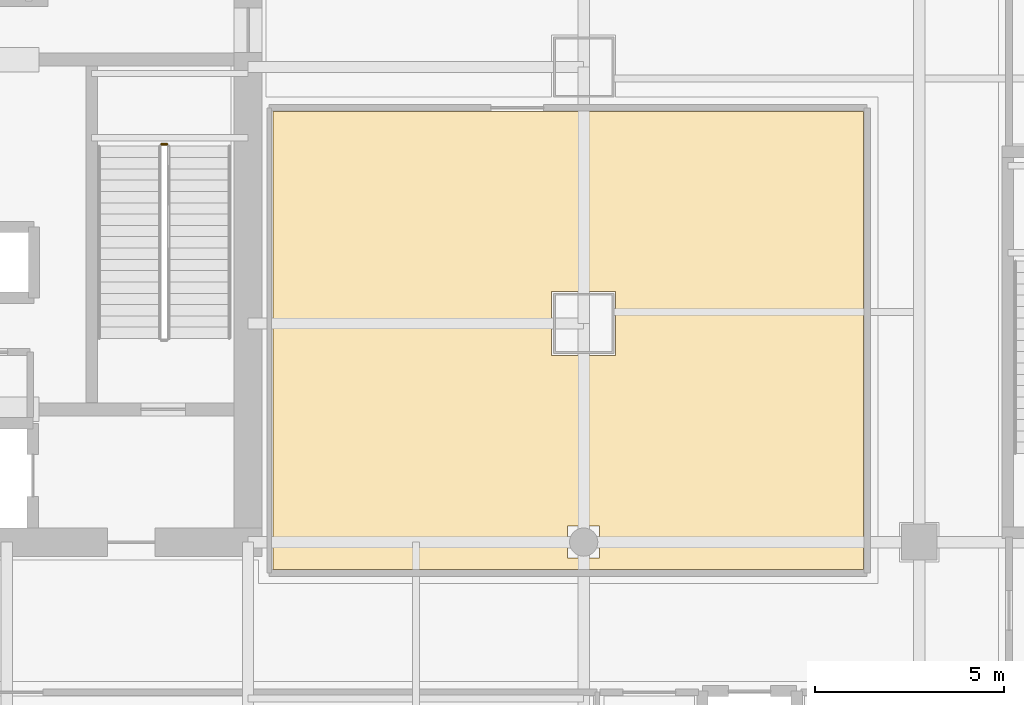
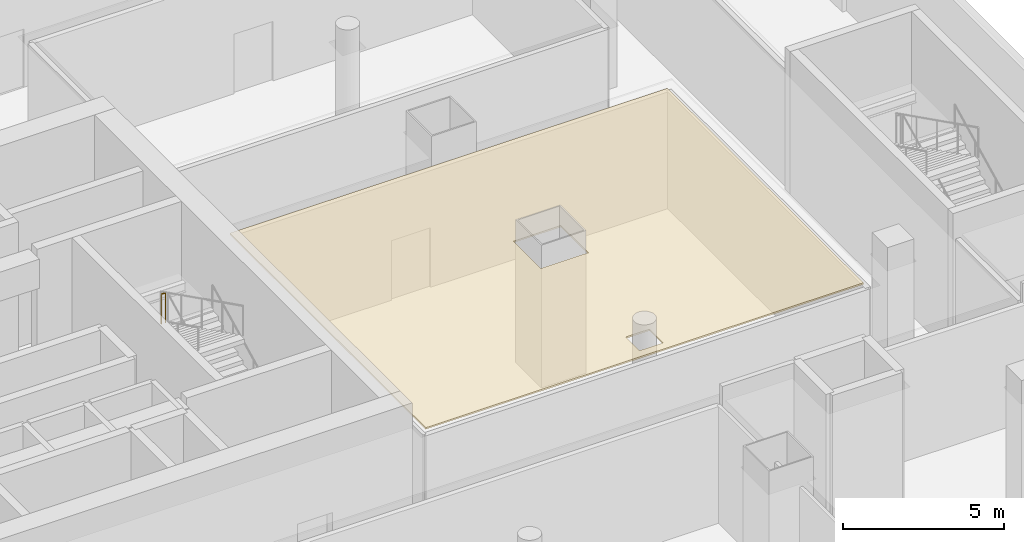
# One storey, part 38 of 43: 1 covering, 1 railing.
"""IFC4 building model written with IfcOpenShell, lengths in metres."""

from ifc_helpers import new_model, si_unit, direction, frame, origin, origin_2d, place, context, subcontext, project, spatial, polyline, circle, outline, extrude, material, layer, layer_set, type_object, element, save


model = new_model("IFC4")

# Units and contexts
model_context = context("Model", 3, precision=1e-05, world=origin(), true_north=direction((0.0, 1.0)))
body_context = subcontext(model_context, "Body", "Model", "MODEL_VIEW")
ifc_project = project(units=[si_unit("LENGTHUNIT", "METRE"), si_unit("AREAUNIT", "SQUARE_METRE"), si_unit("VOLUMEUNIT", "CUBIC_METRE"), si_unit("PLANEANGLEUNIT", "RADIAN"), si_unit("MASSUNIT", "GRAM", prefix="KILO")], contexts=[model_context])

# Site, building, storey
site_placement = place(None, origin())
site = spatial("IfcSite", under=ifc_project, at=site_placement, CompositionType="ELEMENT")
building_placement = place(site_placement, origin())
building = spatial("IfcBuilding", under=site, at=building_placement, Name="Punatoya Terracotta Tower", CompositionType="ELEMENT")
storey_placement = place(building_placement, frame((0.0, 0.0, 6.0)))
storey = spatial("IfcBuildingStorey", under=building, at=storey_placement, Name="L01", CompositionType="ELEMENT", Elevation=6.0)

# Covering
ifc_material_1 = material(Name="Acoustic Mineral Fibre Ceiling")
ifc_layer = layer(ifc_material_1, 0.06005859375)
ifc_layer_set = layer_set([ifc_layer], Name="Acoustic Mineral Fibre Ceiling")
covering_type = type_object("IfcCoveringType", Name="COV-CEIL-60", PredefinedType="CEILING", material=ifc_layer_set)
covering_placement = place(storey_placement, frame((0.0, 0.0, 4.510009765625)))
element("IfcCovering", 1, at=covering_placement, inside=storey, type_object=covering_type, Name="L01 East Mezzanine Client Meeting Suite Acoustic Ceiling", PredefinedType="CEILING", context=body_context, shape_type="SweptSolid", body=[
    extrude(outline(polyline([(10.860107421875, 2.219970703125), (10.860107421875, -9.919921875), (26.52001953125, -9.919921875), (26.52001953125, 2.219970703125), (10.860107421875, 2.219970703125)]), holes=[polyline([(18.25, -4.25), (18.25, -2.550048828125), (19.949951171875, -2.550048828125), (19.949951171875, -4.25), (18.25, -4.25)]), polyline([(18.675048828125, -8.77490234375), (19.52490234375, -8.77490234375), (19.52490234375, -9.625), (18.675048828125, -9.625), (18.675048828125, -8.77490234375)])]), origin(), (0.0, 0.0, 1.0), 0.06005859375),
])

# Railing
ifc_material_2 = material(Name="Steel S355", Category="steel")
railing_type = type_object("IfcRailingType", Name="RLG-GRD-1150", PredefinedType="GUARDRAIL", material=ifc_material_2)
railing_placement = place(storey_placement, frame((8.050048828125, 1.35009765625, 2.699951171875)))
element("IfcRailing", 2, at=railing_placement, inside=storey, type_object=railing_type, Name="L01 ST-2 stair guard 2", PredefinedType="GUARDRAIL", context=body_context, shape_type="SweptSolid", body=[
    extrude(circle(Radius=0.02392578125, at=origin_2d()), frame((0.0, 0.0, 1.1259765625), z_axis=(-1.0, 0.0, 0.0), x_axis=(0.0, -1.0, 0.0)), (0.0, 0.0, 1.0), 0.150146484375),
    extrude(circle(Radius=0.02099609375, at=origin_2d()), origin(), (0.0, 0.0, 1.0), 1.101806640625),
    extrude(circle(Radius=0.02099609375, at=origin_2d()), frame((-0.150146484375, 0.0, 0.0)), (0.0, 0.0, 1.0), 1.101806640625),
])

save(model, "model.ifc")
